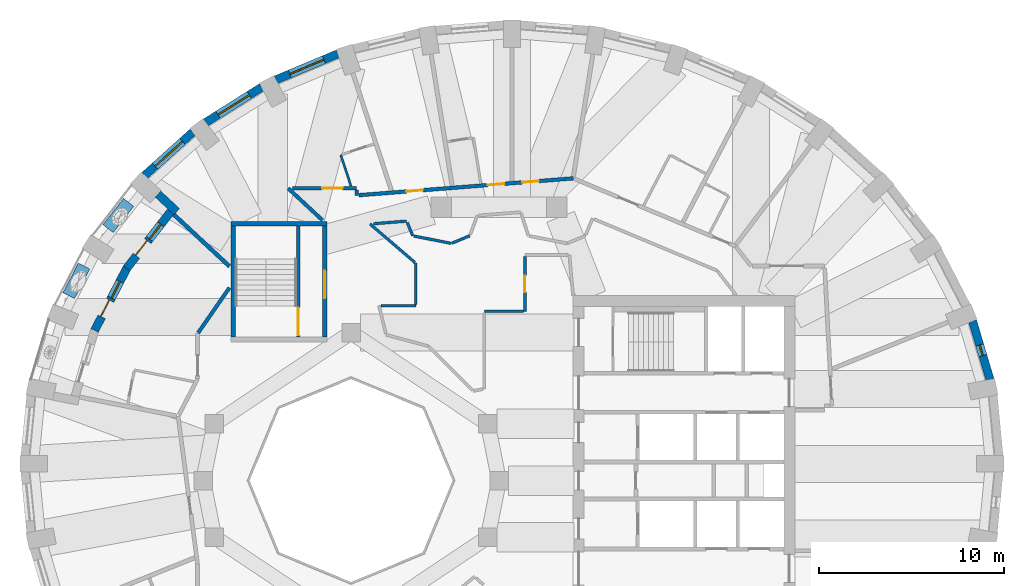
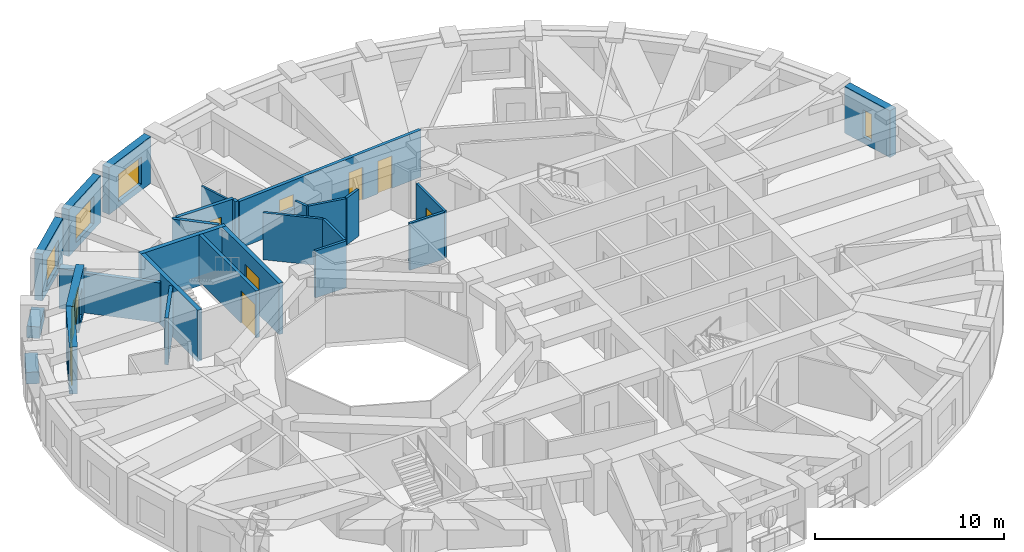
# One storey, part 7 of 12: 29 walls, 9 doors, 6 windows, 15 openings.
"""IFC4 building model written with IfcOpenShell, lengths in metres."""

import ifcopenshell
import ifcopenshell.guid

model = None  # the IFC model being written
_history = None  # IfcOwnerHistory: only IFC2X3 demands one
_inside = {}  # id of a spatial element -> (the spatial element, [elements in it])
_under = {}  # id of a project, library or spatial element -> (it, [spatial elements below it])
_declared = {}  # id of a project -> (the project, [libraries it declares])
_typed = {}  # id of a type object -> (the type object, [elements of that type])
_made_of = {}  # id of a material, layer set ... -> (it, [elements and type objects made of it])


def new_model(schema):
    """Start an empty IFC model of exactly this schema.

    Asked for "IFC4X3", IfcOpenShell would pick the latest addendum, in which some entities
    have other attributes; the version numbers below select the first issue.
    IFC2X3 requires an IfcOwnerHistory on every rooted entity: one is made here for all.
    """
    global model, _history
    if schema == "IFC4X3":
        model = ifcopenshell.file(schema_version=(4, 3, 0, 0))
    else:
        model = ifcopenshell.file(schema=schema)
    _inside.clear()
    _under.clear()
    _declared.clear()
    _typed.clear()
    _made_of.clear()
    _history = None
    if model.schema == "IFC2X3":
        org = make("IfcOrganization", Name="unknown")
        user = make(
            "IfcPersonAndOrganization",
            ThePerson=make("IfcPerson", FamilyName="unknown"),
            TheOrganization=org,
        )
        app = make(
            "IfcApplication",
            ApplicationDeveloper=org,
            Version="unknown",
            ApplicationFullName="unknown",
            ApplicationIdentifier="unknown",
        )
        _history = make(
            "IfcOwnerHistory",
            OwningUser=user,
            OwningApplication=app,
            ChangeAction="ADDED",
            CreationDate=0,
        )
    return model


def make(cls, **values):
    """One entity of the class cls with the attributes given. An attribute that is None is left unset."""
    return model.create_entity(
        cls, **{name: value for name, value in values.items() if value is not None}
    )


def rooted(cls, **values):
    """An entity with a GlobalId (a new one), such as an element, a storey or a relation."""
    return make(cls, GlobalId=ifcopenshell.guid.new(), OwnerHistory=_history, **values)


def si_unit(unit_type, name, prefix=None):
    """IfcSIUnit, for example si_unit("LENGTHUNIT", "METRE", prefix="MILLI")."""
    return make("IfcSIUnit", UnitType=unit_type, Prefix=prefix, Name=name)


def assignment(units):
    """IfcUnitAssignment: the units of a project."""
    return None if units is None else make("IfcUnitAssignment", Units=units)


def point(xyz):
    """IfcCartesianPoint."""
    return None if xyz is None else make("IfcCartesianPoint", Coordinates=xyz)


def direction(xyz):
    """IfcDirection."""
    return None if xyz is None else make("IfcDirection", DirectionRatios=xyz)


def frame(location, z_axis=None, x_axis=None):
    """IfcAxis2Placement3D, a coordinate frame: its origin and axes. An axis left out is left unset."""
    return make(
        "IfcAxis2Placement3D",
        Location=point(location),
        Axis=direction(z_axis),
        RefDirection=direction(x_axis),
    )


def frame_2d(location, x_axis=None):
    """IfcAxis2Placement2D, a coordinate frame in the plane: its origin and x axis."""
    return make(
        "IfcAxis2Placement2D", Location=point(location), RefDirection=direction(x_axis)
    )


def origin():
    """The frame at (0, 0, 0) with its axes left unset."""
    return frame((0.0, 0.0, 0.0))


def place(relative_to, where):
    """IfcLocalPlacement: puts the frame where relative to a parent placement (None: the world)."""
    return make(
        "IfcLocalPlacement", PlacementRelTo=relative_to, RelativePlacement=where
    )


def context(
    kind, dimensions, precision=None, world=None, true_north=None, identifier=None
):
    """IfcGeometricRepresentationContext, for example the 3D "Model" context."""
    return make(
        "IfcGeometricRepresentationContext",
        ContextIdentifier=identifier,
        ContextType=kind,
        CoordinateSpaceDimension=dimensions,
        Precision=precision,
        WorldCoordinateSystem=world,
        TrueNorth=true_north,
    )


def subcontext(parent, identifier, kind, view, scale=None):
    """IfcGeometricRepresentationSubContext, for example "Body" below "Model"."""
    return make(
        "IfcGeometricRepresentationSubContext",
        ContextIdentifier=identifier,
        ContextType=kind,
        ParentContext=parent,
        TargetScale=scale,
        TargetView=view,
    )


def project(units=None, contexts=None):
    """IfcProject with its units and contexts."""
    return rooted(
        "IfcProject",
        Name="project",
        RepresentationContexts=contexts,
        UnitsInContext=assignment(units),
    )


def spatial(cls, under=None, at=None, **own):
    """A site, building, storey or space (cls), placed at a placement, below another one or the project."""
    s = rooted(cls, ObjectPlacement=at, **own)
    if under is not None:
        _under.setdefault(under.id(), (under, []))[1].append(s)
    return s


def profile(cls, at=None, kind="AREA", **sizes):
    """A parametric profile (cls). Its sizes go by their IFC names, for example OverallWidth=200.0."""
    return make(cls, ProfileType=kind, Position=at, **sizes)


def rectangle(**sizes):
    """IfcRectangleProfileDef."""
    return profile("IfcRectangleProfileDef", **sizes)


def extrude(swept, where, along, depth):
    """IfcExtrudedAreaSolid: the profile swept, set in the frame where, extruded along a direction by depth."""
    return make(
        "IfcExtrudedAreaSolid",
        SweptArea=swept,
        Position=where,
        ExtrudedDirection=direction(along),
        Depth=depth,
    )


def shape(context_of_items, identifier, shape_type, items):
    """IfcShapeRepresentation: the items that make up one representation, for example the "Body"."""
    return make(
        "IfcShapeRepresentation",
        ContextOfItems=context_of_items,
        RepresentationIdentifier=identifier,
        RepresentationType=shape_type,
        Items=items,
    )


def material(Name=None, Category=None):
    """IfcMaterial."""
    return make("IfcMaterial", Name=Name, Category=Category)


def layer(
    of_material, thickness, ventilated=None, Name=None, Category=None, Priority=None
):
    """IfcMaterialLayer: one layer of a wall or slab, of a material (None: an air gap)."""
    return make(
        "IfcMaterialLayer",
        Material=of_material,
        LayerThickness=thickness,
        IsVentilated=ventilated,
        Name=Name,
        Category=Category,
        Priority=Priority,
    )


def layer_set(layers, Name=None):
    """IfcMaterialLayerSet."""
    return make("IfcMaterialLayerSet", MaterialLayers=layers, LayerSetName=Name)


def constituent(of_material, Name=None, Category=None, fraction=None):
    """IfcMaterialConstituent: one of the materials an element consists of."""
    return make(
        "IfcMaterialConstituent",
        Name=Name,
        Material=of_material,
        Fraction=fraction,
        Category=Category,
    )


def constituent_set(constituents=None, Name=None):
    """IfcMaterialConstituentSet."""
    return make(
        "IfcMaterialConstituentSet", Name=Name, MaterialConstituents=constituents
    )


def made_of(thing, what):
    """Note that an element or type object is made of a material, layer set ...; save() writes the relation."""
    if what is not None:
        _made_of.setdefault(what.id(), (what, []))[1].append(thing)
    return thing


def type_object(cls, material=None, **own):
    """A type object (cls), such as IfcWallType, which elements share."""
    return made_of(rooted(cls, **own), material)


def element(
    cls,
    number,
    at=None,
    inside=None,
    cuts=None,
    type_object=None,
    material=None,
    context=None,
    identifier="Body",
    shape_type=None,
    held_by="IfcProductDefinitionShape",
    body=None,
    shapes=None,
    **own,
):
    """One element of the class cls, such as IfcWall. Its Tag is "e" and its number.

    at: its placement. inside: the storey or other place that contains it. cuts: it is an
    opening in that element (IfcRelVoidsElement). A single representation is given by context,
    identifier, shape_type and body (its items); several are given by shapes. held_by: the class
    of the entity that holds the representations. save() writes the other relations.
    """
    e = rooted(cls, Tag="e%d" % number, ObjectPlacement=at, **own)
    if body is not None:
        shapes = [shape(context, identifier, shape_type, body)]
    if shapes is not None:
        e.Representation = make(held_by, Representations=shapes)
    if inside is not None:
        _inside.setdefault(inside.id(), (inside, []))[1].append(e)
    if cuts is not None:
        rooted(
            "IfcRelVoidsElement", RelatingBuildingElement=cuts, RelatedOpeningElement=e
        )
    if type_object is not None:
        _typed.setdefault(type_object.id(), (type_object, []))[1].append(e)
    return made_of(e, material)


def fill(opening, filler):
    """IfcRelFillsElement: the door or window that sits in an opening."""
    return rooted(
        "IfcRelFillsElement",
        RelatingOpeningElement=opening,
        RelatedBuildingElement=filler,
    )


def aggregate(whole, parts):
    """IfcRelAggregates: a whole, such as a stair, and the parts it consists of."""
    return rooted("IfcRelAggregates", RelatingObject=whole, RelatedObjects=parts)


def save(model, path):
    """Write the relations noted so far, then the file.

    IfcRelAggregates (storeys below a building ...), IfcRelContainedInSpatialStructure (elements
    in a storey), IfcRelDefinesByType, IfcRelAssociatesMaterial and IfcRelDeclares: one each for
    every whole, place, type object, material and project.
    """
    for whole, parts in _under.values():
        aggregate(whole, parts)
    for where, things in _inside.values():
        rooted(
            "IfcRelContainedInSpatialStructure",
            RelatedElements=things,
            RelatingStructure=where,
        )
    for kind, things in _typed.values():
        rooted("IfcRelDefinesByType", RelatedObjects=things, RelatingType=kind)
    for what, things in _made_of.values():
        rooted("IfcRelAssociatesMaterial", RelatedObjects=things, RelatingMaterial=what)
    for by, libraries in _declared.values():
        rooted("IfcRelDeclares", RelatingContext=by, RelatedDefinitions=libraries)
    model.write(path)


model = new_model("IFC4")

# Units and contexts
model_context = context("Model", 3, precision=1e-05, world=origin(), true_north=direction((0.0, 1.0)))
body_context = subcontext(model_context, "Body", "Model", "MODEL_VIEW")
ifc_project = project(units=[si_unit("LENGTHUNIT", "METRE"), si_unit("AREAUNIT", "SQUARE_METRE"), si_unit("VOLUMEUNIT", "CUBIC_METRE"), si_unit("PLANEANGLEUNIT", "RADIAN"), si_unit("MASSUNIT", "GRAM", prefix="KILO")], contexts=[model_context])

# Site, building, storey
site_placement = place(None, origin())
site = spatial("IfcSite", under=ifc_project, at=site_placement, CompositionType="ELEMENT")
building_placement = place(site_placement, origin())
building = spatial("IfcBuilding", under=site, at=building_placement, Name="Taillehof Tower", CompositionType="ELEMENT")
storey_placement = place(building_placement, frame((0.0, 0.0, 202.39990234375)))
storey = spatial("IfcBuildingStorey", under=building, at=storey_placement, Name="L57", CompositionType="ELEMENT", Elevation=202.39990234375)

# Wall, opening, window
ifc_material_1 = material(Name="Brick masonry", Category="masonry")
ifc_layer_1 = layer(ifc_material_1, 0.449951171875)
ifc_layer_set_1 = layer_set([ifc_layer_1], Name="Brick infill wall 450")
wall_type_1 = type_object("IfcWallType", Name="Brick infill wall 450", PredefinedType="SOLIDWALL", material=ifc_layer_set_1)
wall_1_placement = place(storey_placement, frame((26.548095703125, 5.451904296875, 0.0), z_axis=(0.0, 0.0, 1.0), x_axis=(-0.285444972963, 0.958395099847, 0.0)))
wall_1 = element("IfcWall", 1, at=wall_1_placement, inside=storey, type_object=wall_type_1, Name="Brick wall L57 bay 2", PredefinedType="SOLIDWALL", context=body_context, shape_type="SweptSolid", body=[
    extrude(rectangle(XDim=3.3203125, YDim=0.449951171875, at=frame_2d((1.66015625, 0.0))), origin(), (0.0, 0.0, 1.0), 3.02001953125),
])
opening_1_placement = place(wall_1_placement, frame((1.360107421875, 0.0, 0.39990234375)))
opening_1 = element("IfcOpeningElement", 2, at=opening_1_placement, cuts=wall_1, Name="Opening W6", PredefinedType="OPENING", context=body_context, shape_type="SweptSolid", body=[
    extrude(rectangle(XDim=0.60009765625, YDim=1.75, at=frame_2d((0.300048828125, 0.875))), frame((0.0, 0.23486328125, 0.0), z_axis=(0.0, -1.0, 0.0), x_axis=(1.0, 0.0, 0.0)), (0.0, 0.0, 1.0), 0.469970703125),
])
ifc_material_2 = material(Name="Aluminium window frame with clear double glazing", Category="aluminium")
window_type_1 = type_object("IfcWindowType", Name="Slot window 600x1750", PartitioningType="SINGLE_PANEL", PredefinedType="WINDOW", material=ifc_material_2)
window_1_placement = place(opening_1_placement, origin())
window_1 = element("IfcWindow", 3, at=window_1_placement, inside=storey, type_object=window_type_1, Name="W6", OverallHeight=1.75, OverallWidth=0.60009765625, PartitioningType="SINGLE_PANEL", PredefinedType="WINDOW", context=body_context, shape_type="SweptSolid", body=[
    extrude(rectangle(XDim=0.60009765625, YDim=1.75, at=frame_2d((0.300048828125, 0.875))), frame((0.0, 0.034912109375, 0.0), z_axis=(0.0, -1.0, 0.0), x_axis=(1.0, 0.0, 0.0)), (0.0, 0.0, 1.0), 0.06005859375),
])
fill(opening_1, window_1)

wall_2_placement = place(storey_placement, frame((-8.70263671875, 23.0791015625, 0.0), z_axis=(0.0, 0.0, 1.0), x_axis=(-0.922168222612, -0.386789050006, 0.0)))
wall_2 = element("IfcWall", 4, at=wall_2_placement, inside=storey, type_object=wall_type_1, Name="Brick wall L57 bay 12", PredefinedType="SOLIDWALL", context=body_context, shape_type="SweptSolid", body=[
    extrude(rectangle(XDim=3.65087890625, YDim=0.449951171875, at=frame_2d((1.825439453125, 0.0))), origin(), (0.0, 0.0, 1.0), 3.02001953125),
])
opening_2_placement = place(wall_2_placement, frame((0.825439453125, 0.0, 0.39990234375)))
opening_2 = element("IfcOpeningElement", 5, at=opening_2_placement, cuts=wall_2, Name="Opening W2", PredefinedType="OPENING", context=body_context, shape_type="SweptSolid", body=[
    extrude(rectangle(XDim=2.0, YDim=1.75, at=frame_2d((1.0, 0.875))), frame((0.0, 0.23486328125, 0.0), z_axis=(0.0, -1.0, 0.0), x_axis=(1.0, 0.0, 0.0)), (0.0, 0.0, 1.0), 0.469970703125),
])
ifc_material_3 = material(Name="Aluminium window frame with clear double glazing", Category="aluminium")
window_type_2 = type_object("IfcWindowType", Name="Deep-set window 2000x1750", PartitioningType="SINGLE_PANEL", PredefinedType="WINDOW", material=ifc_material_3)
window_2_placement = place(opening_2_placement, origin())
window_2 = element("IfcWindow", 6, at=window_2_placement, inside=storey, type_object=window_type_2, Name="W2", OverallHeight=1.75, OverallWidth=2.0, PartitioningType="SINGLE_PANEL", PredefinedType="WINDOW", context=body_context, shape_type="SweptSolid", body=[
    extrude(rectangle(XDim=2.0, YDim=1.75, at=frame_2d((1.0, 0.875))), frame((0.0, 0.034912109375, 0.0), z_axis=(0.0, -1.0, 0.0), x_axis=(1.0, 0.0, 0.0)), (0.0, 0.0, 1.0), 0.06005859375),
])
fill(opening_2, window_2)

wall_3_placement = place(storey_placement, frame((-12.832275390625, 21.27001953125, 0.0), z_axis=(0.0, 0.0, 1.0), x_axis=(-0.846138482752, -0.532963101918, 0.0)))
wall_3 = element("IfcWall", 7, at=wall_3_placement, inside=storey, type_object=wall_type_1, Name="Brick wall L57 bay 13", PredefinedType="SOLIDWALL", context=body_context, shape_type="SweptSolid", body=[
    extrude(rectangle(XDim=3.586669921875, YDim=0.449951171875, at=frame_2d((1.79345703125, 0.0))), origin(), (0.0, 0.0, 1.0), 3.02001953125),
])
opening_3_placement = place(wall_3_placement, frame((0.79345703125, 0.0, 0.39990234375)))
opening_3 = element("IfcOpeningElement", 8, at=opening_3_placement, cuts=wall_3, Name="Opening W2", PredefinedType="OPENING", context=body_context, shape_type="SweptSolid", body=[
    extrude(rectangle(XDim=2.0, YDim=1.75, at=frame_2d((1.0, 0.875))), frame((0.0, 0.23486328125, 0.0), z_axis=(0.0, -1.0, 0.0), x_axis=(1.0, 0.0, 0.0)), (0.0, 0.0, 1.0), 0.469970703125),
])
window_3_placement = place(opening_3_placement, origin())
window_3 = element("IfcWindow", 9, at=window_3_placement, inside=storey, type_object=window_type_2, Name="W2", OverallHeight=1.75, OverallWidth=2.0, PartitioningType="SINGLE_PANEL", PredefinedType="WINDOW", context=body_context, shape_type="SweptSolid", body=[
    extrude(rectangle(XDim=2.0, YDim=1.75, at=frame_2d((1.0, 0.875))), frame((0.0, 0.034912109375, 0.0), z_axis=(0.0, -1.0, 0.0), x_axis=(1.0, 0.0, 0.0)), (0.0, 0.0, 1.0), 0.06005859375),
])
fill(opening_3, window_3)

wall_4_placement = place(storey_placement, frame((-16.553466796875, 18.83984375, 0.0), z_axis=(0.0, 0.0, 1.0), x_axis=(-0.743442727602, -0.668799604348, 0.0)))
wall_4 = element("IfcWall", 10, at=wall_4_placement, inside=storey, type_object=wall_type_1, Name="Brick wall L57 bay 14", PredefinedType="SOLIDWALL", context=body_context, shape_type="SweptSolid", body=[
    extrude(rectangle(XDim=3.5126953125, YDim=0.449951171875, at=frame_2d((1.75634765625, 0.0))), origin(), (0.0, 0.0, 1.0), 3.02001953125),
])
opening_4_placement = place(wall_4_placement, frame((0.75634765625, 0.0, 0.39990234375)))
opening_4 = element("IfcOpeningElement", 11, at=opening_4_placement, cuts=wall_4, Name="Opening W2", PredefinedType="OPENING", context=body_context, shape_type="SweptSolid", body=[
    extrude(rectangle(XDim=2.0, YDim=1.75, at=frame_2d((1.0, 0.875))), frame((0.0, 0.23486328125, 0.0), z_axis=(0.0, -1.0, 0.0), x_axis=(1.0, 0.0, 0.0)), (0.0, 0.0, 1.0), 0.469970703125),
])
window_4_placement = place(opening_4_placement, origin())
window_4 = element("IfcWindow", 12, at=window_4_placement, inside=storey, type_object=window_type_2, Name="W2", OverallHeight=1.75, OverallWidth=2.0, PartitioningType="SINGLE_PANEL", PredefinedType="WINDOW", context=body_context, shape_type="SweptSolid", body=[
    extrude(rectangle(XDim=2.0, YDim=1.75, at=frame_2d((1.0, 0.875))), frame((0.0, 0.034912109375, 0.0), z_axis=(0.0, -1.0, 0.0), x_axis=(1.0, 0.0, 0.0)), (0.0, 0.0, 1.0), 0.06005859375),
])
fill(opening_4, window_4)

# Wall
wall_5_placement = place(storey_placement, frame((-18.4404296875, 15.484375, 0.0), z_axis=(0.0, 0.0, 1.0), x_axis=(0.732268156969, -0.681016406769, 0.0)))
element("IfcWall", 13, at=wall_5_placement, inside=storey, type_object=wall_type_1, Name="Brick reveal L57 pocket 4", PredefinedType="SOLIDWALL", context=body_context, shape_type="SweptSolid", body=[
    extrude(rectangle(XDim=1.390869140625, YDim=0.449951171875, at=frame_2d((0.6953125, 0.0))), origin(), (0.0, 0.0, 1.0), 2.570068359375),
])

# Wall, openings, door, window
wall_6_placement = place(storey_placement, frame((-17.75390625, 14.53857421875, 0.0), z_axis=(0.0, 0.0, 1.0), x_axis=(-0.613174901215, -0.789947175779, 0.0)))
wall_6 = element("IfcWall", 14, at=wall_6_placement, inside=storey, type_object=wall_type_1, Name="Brick wall L57 pocket bay 15", PredefinedType="SOLIDWALL", context=body_context, shape_type="SweptSolid", body=[
    extrude(rectangle(XDim=3.886474609375, YDim=0.449951171875, at=frame_2d((1.943359375, 0.0))), origin(), (0.0, 0.0, 1.0), 3.02001953125),
])
opening_5_placement = place(wall_6_placement, frame((0.8681640625, 0.0, 0.39990234375)))
opening_5 = element("IfcOpeningElement", 15, at=opening_5_placement, cuts=wall_6, Name="Opening W5", PredefinedType="OPENING", context=body_context, shape_type="SweptSolid", body=[
    extrude(rectangle(XDim=1.0, YDim=1.75, at=frame_2d((0.5, 0.875))), frame((0.0, 0.23486328125, 0.0), z_axis=(0.0, -1.0, 0.0), x_axis=(1.0, 0.0, 0.0)), (0.0, 0.0, 1.0), 0.469970703125),
])
opening_6_placement = place(wall_6_placement, frame((2.018310546875, 0.0, 0.0)))
opening_6 = element("IfcOpeningElement", 16, at=opening_6_placement, cuts=wall_6, Name="Opening D5791", PredefinedType="OPENING", context=body_context, shape_type="SweptSolid", body=[
    extrude(rectangle(XDim=1.0, YDim=2.14990234375, at=frame_2d((0.5, 1.074951171875))), frame((0.0, 0.23486328125, 0.0), z_axis=(0.0, -1.0, 0.0), x_axis=(1.0, 0.0, 0.0)), (0.0, 0.0, 1.0), 0.469970703125),
])
ifc_material_4 = material(Name="Aluminium door frame with clear double glazing", Category="aluminium")
door_type_1 = type_object("IfcDoorType", Name="Balcony door 1000x2150", OperationType="SINGLE_SWING_RIGHT", PredefinedType="DOOR", material=ifc_material_4)
door_1_placement = place(opening_6_placement, frame((1.0, 0.0, 0.0), z_axis=(0.0, 0.0, 1.0), x_axis=(-1.0, 0.0, 0.0)))
door_1 = element("IfcDoor", 17, at=door_1_placement, inside=storey, type_object=door_type_1, Name="Balcony door L57 bay 15", OperationType="SINGLE_SWING_RIGHT", OverallHeight=2.14990234375, OverallWidth=1.0, PredefinedType="DOOR", context=body_context, shape_type="SweptSolid", body=[
    extrude(rectangle(XDim=1.0, YDim=2.14990234375, at=frame_2d((0.5, 1.074951171875))), frame((0.0, 0.0751953125, 0.0), z_axis=(0.0, -1.0, 0.0), x_axis=(1.0, 0.0, 0.0)), (0.0, 0.0, 1.0), 0.050048828125),
])
fill(opening_6, door_1)
ifc_material_5 = material(Name="Aluminium window frame with clear double glazing", Category="aluminium")
window_type_3 = type_object("IfcWindowType", Name="Fixed window 1000x1750", PartitioningType="SINGLE_PANEL", PredefinedType="WINDOW", material=ifc_material_5)
window_5_placement = place(opening_5_placement, origin())
window_5 = element("IfcWindow", 18, at=window_5_placement, inside=storey, type_object=window_type_3, Name="W5", OverallHeight=1.75, OverallWidth=1.0, PartitioningType="SINGLE_PANEL", PredefinedType="WINDOW", context=body_context, shape_type="SweptSolid", body=[
    extrude(rectangle(XDim=1.0, YDim=1.75, at=frame_2d((0.5, 0.875))), frame((0.0, 0.034912109375, 0.0), z_axis=(0.0, -1.0, 0.0), x_axis=(1.0, 0.0, 0.0)), (0.0, 0.0, 1.0), 0.06005859375),
])
fill(opening_5, window_5)

wall_7_placement = place(storey_placement, frame((-20.11474609375, 11.503173828125, 0.0), z_axis=(0.0, 0.0, 1.0), x_axis=(-0.459205720451, -0.888329953511, 0.0)))
wall_7 = element("IfcWall", 19, at=wall_7_placement, inside=storey, type_object=wall_type_1, Name="Brick wall L57 pocket bay 16", PredefinedType="SOLIDWALL", context=body_context, shape_type="SweptSolid", body=[
    extrude(rectangle(XDim=3.822509765625, YDim=0.449951171875, at=frame_2d((1.9111328125, 0.0))), origin(), (0.0, 0.0, 1.0), 3.02001953125),
])
opening_7_placement = place(wall_7_placement, frame((0.83642578125, 0.0, 0.39990234375)))
opening_7 = element("IfcOpeningElement", 20, at=opening_7_placement, cuts=wall_7, Name="Opening W5", PredefinedType="OPENING", context=body_context, shape_type="SweptSolid", body=[
    extrude(rectangle(XDim=1.0, YDim=1.75, at=frame_2d((0.5, 0.875))), frame((0.0, 0.23486328125, 0.0), z_axis=(0.0, -1.0, 0.0), x_axis=(1.0, 0.0, 0.0)), (0.0, 0.0, 1.0), 0.469970703125),
])
opening_8_placement = place(wall_7_placement, frame((1.986328125, 0.0, 0.0)))
opening_8 = element("IfcOpeningElement", 21, at=opening_8_placement, cuts=wall_7, Name="Opening D5792", PredefinedType="OPENING", context=body_context, shape_type="SweptSolid", body=[
    extrude(rectangle(XDim=1.0, YDim=2.14990234375, at=frame_2d((0.5, 1.074951171875))), frame((0.0, 0.23486328125, 0.0), z_axis=(0.0, -1.0, 0.0), x_axis=(1.0, 0.0, 0.0)), (0.0, 0.0, 1.0), 0.469970703125),
])
door_2_placement = place(opening_8_placement, frame((1.0, 0.0, 0.0), z_axis=(0.0, 0.0, 1.0), x_axis=(-1.0, 0.0, 0.0)))
door_2 = element("IfcDoor", 22, at=door_2_placement, inside=storey, type_object=door_type_1, Name="Balcony door L57 bay 16", OperationType="SINGLE_SWING_LEFT", OverallHeight=2.14990234375, OverallWidth=1.0, PredefinedType="DOOR", context=body_context, shape_type="SweptSolid", body=[
    extrude(rectangle(XDim=1.0, YDim=2.14990234375, at=frame_2d((0.5, 1.074951171875))), frame((0.0, 0.0751953125, 0.0), z_axis=(0.0, -1.0, 0.0), x_axis=(1.0, 0.0, 0.0)), (0.0, 0.0, 1.0), 0.050048828125),
])
fill(opening_8, door_2)
window_6_placement = place(opening_7_placement, origin())
window_6 = element("IfcWindow", 23, at=window_6_placement, inside=storey, type_object=window_type_3, Name="W5", OverallHeight=1.75, OverallWidth=1.0, PartitioningType="SINGLE_PANEL", PredefinedType="WINDOW", context=body_context, shape_type="SweptSolid", body=[
    extrude(rectangle(XDim=1.0, YDim=1.75, at=frame_2d((0.5, 0.875))), frame((0.0, 0.034912109375, 0.0), z_axis=(0.0, -1.0, 0.0), x_axis=(1.0, 0.0, 0.0)), (0.0, 0.0, 1.0), 0.06005859375),
])
fill(opening_7, window_6)

# Walls
ifc_material_6 = material(Name="Gypsum board on steel studs, two layers each side", Category="steel")
ifc_layer_2 = layer(ifc_material_6, 0.199951171875)
ifc_layer_set_2 = layer_set([ifc_layer_2], Name="Compartment wall corridor 200")
wall_type_2 = type_object("IfcWallType", Name="Compartment wall corridor 200", PredefinedType="PARTITIONING", material=ifc_layer_set_2)
wall_8_placement = place(storey_placement, frame((-16.265625, 7.9892578125, 0.0), z_axis=(0.0, 0.0, 1.0), x_axis=(0.569860411146, 0.821741511552, 0.0)))
element("IfcWall", 24, at=wall_8_placement, inside=storey, type_object=wall_type_2, Name="Compartment wall", PredefinedType="PARTITIONING", context=body_context, shape_type="SweptSolid", body=[
    extrude(rectangle(XDim=2.966064453125, YDim=0.199951171875, at=frame_2d((1.48291015625, 0.0))), origin(), (0.0, 0.0, 1.0), 3.02001953125),
])
wall_9_placement = place(storey_placement, frame((-9.540771484375, 14.070068359375, 0.0), z_axis=(0.0, 0.0, 1.0), x_axis=(-0.732300412469, 0.680981722146, 0.0)))
element("IfcWall", 25, at=wall_9_placement, inside=storey, type_object=wall_type_2, Name="Compartment wall", PredefinedType="PARTITIONING", context=body_context, shape_type="SweptSolid", body=[
    extrude(rectangle(XDim=2.54052734375, YDim=0.199951171875, at=frame_2d((1.270263671875, 0.0))), origin(), (0.0, 0.0, 1.0), 3.02001953125),
])

# Wall, opening, door
wall_10_placement = place(storey_placement, frame((-11.160888671875, 15.800048828125, 0.0), z_axis=(0.0, 0.0, 1.0), x_axis=(1.0, 0.0, 0.0)))
wall_10 = element("IfcWall", 26, at=wall_10_placement, inside=storey, type_object=wall_type_2, Name="Compartment wall", PredefinedType="PARTITIONING", context=body_context, shape_type="SweptSolid", body=[
    extrude(rectangle(XDim=3.4609375, YDim=0.199951171875, at=frame_2d((1.73046875, 0.0))), origin(), (0.0, 0.0, 1.0), 3.02001953125),
])
opening_9_placement = place(wall_10_placement, frame((1.601806640625, 0.0, 0.0)))
opening_9 = element("IfcOpeningElement", 27, at=opening_9_placement, cuts=wall_10, Name="Opening D5748", PredefinedType="OPENING", context=body_context, shape_type="SweptSolid", body=[
    extrude(rectangle(XDim=1.10009765625, YDim=2.10009765625, at=frame_2d((0.550048828125, 1.050048828125))), frame((0.0, 0.10986328125, 0.0), z_axis=(0.0, -1.0, 0.0), x_axis=(1.0, 0.0, 0.0)), (0.0, 0.0, 1.0), 0.219970703125),
])
ifc_material_7 = material(Name="Timber door leaf in steel frame", Category="steel")
door_type_2 = type_object("IfcDoorType", Name="Suite entrance door EI 30 1100 x 2100", OperationType="SINGLE_SWING_LEFT", PredefinedType="DOOR", material=ifc_material_7)
door_3_placement = place(opening_9_placement, origin())
door_3 = element("IfcDoor", 28, at=door_3_placement, inside=storey, type_object=door_type_2, Name="D5748", OperationType="SINGLE_SWING_RIGHT", OverallHeight=2.10009765625, OverallWidth=1.10009765625, PredefinedType="DOOR", context=body_context, shape_type="SweptSolid", body=[
    extrude(rectangle(XDim=1.10009765625, YDim=2.10009765625, at=frame_2d((0.550048828125, 1.050048828125))), frame((0.0, 0.02490234375, 0.0), z_axis=(0.0, -1.0, 0.0), x_axis=(1.0, 0.0, 0.0)), (0.0, 0.0, 1.0), 0.050048828125),
])
fill(opening_9, door_3)

# Wall
wall_11_placement = place(storey_placement, frame((-7.699951171875, 15.699951171875, 0.0), z_axis=(0.0, 0.0, 1.0), x_axis=(0.0, -1.0, 0.0)))
element("IfcWall", 29, at=wall_11_placement, inside=storey, type_object=wall_type_2, Name="Compartment wall", PredefinedType="PARTITIONING", context=body_context, shape_type="SweptSolid", body=[
    extrude(rectangle(XDim=0.281494140625, YDim=0.199951171875, at=frame_2d((0.140625, 0.0))), origin(), (0.0, 0.0, 1.0), 3.02001953125),
])

# Wall, openings, doors
wall_12_placement = place(storey_placement, frame((-7.579833984375, 15.42724609375, 0.0), z_axis=(0.0, 0.0, 1.0), x_axis=(0.996926687833, 0.078340149899, 0.0)))
wall_12 = element("IfcWall", 30, at=wall_12_placement, inside=storey, type_object=wall_type_2, Name="Compartment wall", PredefinedType="PARTITIONING", context=body_context, shape_type="SweptSolid", body=[
    extrude(rectangle(XDim=11.63037109375, YDim=0.199951171875, at=frame_2d((5.815185546875, 0.0))), origin(), (0.0, 0.0, 1.0), 3.02001953125),
])
opening_10_placement = place(wall_12_placement, frame((8.86572265625, 0.0, 0.0)))
opening_10 = element("IfcOpeningElement", 31, at=opening_10_placement, cuts=wall_12, Name="Opening D5744", PredefinedType="OPENING", context=body_context, shape_type="SweptSolid", body=[
    extrude(rectangle(XDim=0.89990234375, YDim=2.10009765625, at=frame_2d((0.449951171875, 1.050048828125))), frame((0.0, 0.10986328125, 0.0), z_axis=(0.0, -1.0, 0.0), x_axis=(1.0, 0.0, 0.0)), (0.0, 0.0, 1.0), 0.219970703125),
])
opening_11_placement = place(wall_12_placement, frame((6.992431640625, 0.0, 0.0)))
opening_11 = element("IfcOpeningElement", 32, at=opening_11_placement, cuts=wall_12, Name="Opening D5745", PredefinedType="OPENING", context=body_context, shape_type="SweptSolid", body=[
    extrude(rectangle(XDim=0.89990234375, YDim=2.10009765625, at=frame_2d((0.449951171875, 1.050048828125))), frame((0.0, 0.10986328125, 0.0), z_axis=(0.0, -1.0, 0.0), x_axis=(1.0, 0.0, 0.0)), (0.0, 0.0, 1.0), 0.219970703125),
])
opening_12_placement = place(wall_12_placement, frame((2.565673828125, 0.0, 0.0)))
opening_12 = element("IfcOpeningElement", 33, at=opening_12_placement, cuts=wall_12, Name="Opening D5747", PredefinedType="OPENING", context=body_context, shape_type="SweptSolid", body=[
    extrude(rectangle(XDim=0.89990234375, YDim=2.10009765625, at=frame_2d((0.449951171875, 1.050048828125))), frame((0.0, 0.10986328125, 0.0), z_axis=(0.0, -1.0, 0.0), x_axis=(1.0, 0.0, 0.0)), (0.0, 0.0, 1.0), 0.219970703125),
])
ifc_material_8 = material(Name="Timber door leaf in steel frame", Category="steel")
door_type_3 = type_object("IfcDoorType", Name="Guest room door EI 30 900 x 2100", OperationType="SINGLE_SWING_LEFT", PredefinedType="DOOR", material=ifc_material_8)
door_4_placement = place(opening_11_placement, origin())
door_4 = element("IfcDoor", 34, at=door_4_placement, inside=storey, type_object=door_type_3, Name="D5745", OperationType="SINGLE_SWING_RIGHT", OverallHeight=2.10009765625, OverallWidth=0.89990234375, PredefinedType="DOOR", context=body_context, shape_type="SweptSolid", body=[
    extrude(rectangle(XDim=0.89990234375, YDim=2.10009765625, at=frame_2d((0.449951171875, 1.050048828125))), frame((0.0, 0.02490234375, 0.0), z_axis=(0.0, -1.0, 0.0), x_axis=(1.0, 0.0, 0.0)), (0.0, 0.0, 1.0), 0.050048828125),
])
fill(opening_11, door_4)
ifc_material_9 = material(Name="Timber door leaf in steel frame", Category="steel")
door_type_4 = type_object("IfcDoorType", Name="Service room door EI 30 900 x 2100", OperationType="SINGLE_SWING_LEFT", PredefinedType="DOOR", material=ifc_material_9)
door_5_placement = place(opening_10_placement, origin())
door_5 = element("IfcDoor", 35, at=door_5_placement, inside=storey, type_object=door_type_4, Name="D5744", OperationType="SINGLE_SWING_LEFT", OverallHeight=2.10009765625, OverallWidth=0.89990234375, PredefinedType="DOOR", context=body_context, shape_type="SweptSolid", body=[
    extrude(rectangle(XDim=0.89990234375, YDim=2.10009765625, at=frame_2d((0.449951171875, 1.050048828125))), frame((0.0, 0.02490234375, 0.0), z_axis=(0.0, -1.0, 0.0), x_axis=(1.0, 0.0, 0.0)), (0.0, 0.0, 1.0), 0.050048828125),
])
fill(opening_10, door_5)
door_6_placement = place(opening_12_placement, origin())
door_6 = element("IfcDoor", 36, at=door_6_placement, inside=storey, type_object=door_type_4, Name="D5747", OperationType="SINGLE_SWING_LEFT", OverallHeight=2.10009765625, OverallWidth=0.89990234375, PredefinedType="DOOR", context=body_context, shape_type="SweptSolid", body=[
    extrude(rectangle(XDim=0.89990234375, YDim=2.10009765625, at=frame_2d((0.449951171875, 1.050048828125))), frame((0.0, 0.02490234375, 0.0), z_axis=(0.0, -1.0, 0.0), x_axis=(1.0, 0.0, 0.0)), (0.0, 0.0, 1.0), 0.050048828125),
])
fill(opening_12, door_6)

# Wall
ifc_material_10 = material(Name="Gypsum board on double steel studs with mineral wool", Category="steel")
ifc_layer_3 = layer(ifc_material_10, 0.219970703125)
ifc_layer_set_3 = layer_set([ifc_layer_3], Name="Compartment wall guest room 220")
wall_type_3 = type_object("IfcWallType", Name="Compartment wall guest room 220", PredefinedType="PARTITIONING", material=ifc_layer_set_3)
wall_13_placement = place(storey_placement, frame((-17.58837890625, 14.384765625, 0.0), z_axis=(0.0, 0.0, 1.0), x_axis=(0.732259547802, -0.681025663725, 0.0)))
element("IfcWall", 37, at=wall_13_placement, inside=storey, type_object=wall_type_3, Name="Compartment wall", PredefinedType="PARTITIONING", context=body_context, shape_type="SweptSolid", body=[
    extrude(rectangle(XDim=4.121826171875, YDim=0.219970703125, at=frame_2d((2.06103515625, 0.0))), origin(), (0.0, 0.0, 1.0), 2.570068359375),
])

# Wall, opening, door
ifc_material_11 = material(Name="Gypsum board on steel studs, two layers each side", Category="steel")
ifc_layer_4 = layer(ifc_material_11, 0.14990234375)
ifc_layer_set_4 = layer_set([ifc_layer_4], Name="Compartment wall service room 150")
wall_type_4 = type_object("IfcWallType", Name="Compartment wall service room 150", PredefinedType="PARTITIONING", material=ifc_layer_set_4)
wall_14_placement = place(storey_placement, frame((1.39990234375, 12.119873046875, 0.0), z_axis=(0.0, 0.0, 1.0), x_axis=(0.0, -1.0, 0.0)))
wall_14 = element("IfcWall", 38, at=wall_14_placement, inside=storey, type_object=wall_type_4, Name="Compartment wall", PredefinedType="PARTITIONING", context=body_context, shape_type="SweptSolid", body=[
    extrude(rectangle(XDim=2.969970703125, YDim=0.14990234375, at=frame_2d((1.48486328125, 0.0))), origin(), (0.0, 0.0, 1.0), 3.02001953125),
])
opening_13_placement = place(wall_14_placement, frame((1.034912109375, 0.0, 0.0)))
opening_13 = element("IfcOpeningElement", 39, at=opening_13_placement, cuts=wall_14, Name="Opening D5766", PredefinedType="OPENING", context=body_context, shape_type="SweptSolid", body=[
    extrude(rectangle(XDim=0.89990234375, YDim=2.10009765625, at=frame_2d((0.449951171875, 1.050048828125))), frame((0.0, 0.0849609375, 0.0), z_axis=(0.0, -1.0, 0.0), x_axis=(1.0, 0.0, 0.0)), (0.0, 0.0, 1.0), 0.169921875),
])
door_7_placement = place(opening_13_placement, origin())
door_7 = element("IfcDoor", 40, at=door_7_placement, inside=storey, type_object=door_type_4, Name="D5766", OperationType="SINGLE_SWING_LEFT", OverallHeight=2.10009765625, OverallWidth=0.89990234375, PredefinedType="DOOR", context=body_context, shape_type="SweptSolid", body=[
    extrude(rectangle(XDim=0.89990234375, YDim=2.10009765625, at=frame_2d((0.449951171875, 1.050048828125))), frame((0.0, 0.02490234375, 0.0), z_axis=(0.0, -1.0, 0.0), x_axis=(1.0, 0.0, 0.0)), (0.0, 0.0, 1.0), 0.050048828125),
])
fill(opening_13, door_7)

# Walls
wall_15_placement = place(storey_placement, frame((1.31982421875, 9.14990234375, 0.0), z_axis=(0.0, 0.0, 1.0), x_axis=(-1.0, 0.0, 0.0)))
element("IfcWall", 41, at=wall_15_placement, inside=storey, type_object=wall_type_4, Name="Compartment wall", PredefinedType="PARTITIONING", context=body_context, shape_type="SweptSolid", body=[
    extrude(rectangle(XDim=2.119873046875, YDim=0.14990234375, at=frame_2d((1.06005859375, 0.0))), origin(), (0.0, 0.0, 1.0), 3.02001953125),
])
wall_16_placement = place(storey_placement, frame((-6.393310546875, 9.449951171875, 0.0), z_axis=(0.0, 0.0, 1.0), x_axis=(1.0, 0.0, 0.0)))
element("IfcWall", 42, at=wall_16_placement, inside=storey, type_object=wall_type_4, Name="Compartment wall", PredefinedType="PARTITIONING", context=body_context, shape_type="SweptSolid", body=[
    extrude(rectangle(XDim=1.893310546875, YDim=0.14990234375, at=frame_2d((0.94677734375, 0.0))), origin(), (0.0, 0.0, 1.0), 3.02001953125),
])
wall_17_placement = place(storey_placement, frame((-4.5, 9.530029296875, 0.0), z_axis=(0.0, 0.0, 1.0), x_axis=(0.0, 1.0, 0.0)))
element("IfcWall", 43, at=wall_17_placement, inside=storey, type_object=wall_type_4, Name="Compartment wall", PredefinedType="PARTITIONING", context=body_context, shape_type="SweptSolid", body=[
    extrude(rectangle(XDim=2.219970703125, YDim=0.14990234375, at=frame_2d((1.10986328125, 0.0))), origin(), (0.0, 0.0, 1.0), 3.02001953125),
])
wall_18_placement = place(storey_placement, frame((-4.54541015625, 11.788818359375, 0.0), z_axis=(0.0, 0.0, 1.0), x_axis=(-0.759649557803, 0.650332645136, 0.0)))
element("IfcWall", 44, at=wall_18_placement, inside=storey, type_object=wall_type_4, Name="Compartment wall", PredefinedType="PARTITIONING", context=body_context, shape_type="SweptSolid", body=[
    extrude(rectangle(XDim=3.200439453125, YDim=0.14990234375, at=frame_2d((1.60009765625, 0.0))), origin(), (0.0, 0.0, 1.0), 3.02001953125),
])
wall_19_placement = place(storey_placement, frame((-6.79638671875, 13.88330078125, 0.0), z_axis=(0.0, 0.0, 1.0), x_axis=(0.996884469519, 0.078875562959, 0.0)))
element("IfcWall", 45, at=wall_19_placement, inside=storey, type_object=wall_type_4, Name="Compartment wall", PredefinedType="PARTITIONING", context=body_context, shape_type="SweptSolid", body=[
    extrude(rectangle(XDim=1.8076171875, YDim=0.14990234375, at=frame_2d((0.90380859375, 0.0))), origin(), (0.0, 0.0, 1.0), 2.570068359375),
])
wall_20_placement = place(storey_placement, frame((-4.964111328125, 13.95166015625, 0.0), z_axis=(0.0, 0.0, 1.0), x_axis=(0.383034593284, -0.923733998697, 0.0)))
element("IfcWall", 46, at=wall_20_placement, inside=storey, type_object=wall_type_4, Name="Compartment wall", PredefinedType="PARTITIONING", context=body_context, shape_type="SweptSolid", body=[
    extrude(rectangle(XDim=0.77880859375, YDim=0.14990234375, at=frame_2d((0.389404296875, 0.0))), origin(), (0.0, 0.0, 1.0), 3.02001953125),
])
wall_21_placement = place(storey_placement, frame((-4.607177734375, 13.220458984375, 0.0), z_axis=(0.0, 0.0, 1.0), x_axis=(0.981304142817, -0.192463449234, 0.0)))
element("IfcWall", 47, at=wall_21_placement, inside=storey, type_object=wall_type_4, Name="Compartment wall", PredefinedType="PARTITIONING", context=body_context, shape_type="SweptSolid", body=[
    extrude(rectangle(XDim=2.0703125, YDim=0.14990234375, at=frame_2d((1.03515625, 0.0))), origin(), (0.0, 0.0, 1.0), 3.02001953125),
])
wall_22_placement = place(storey_placement, frame((-2.53857421875, 12.837158203125, 0.0), z_axis=(0.0, 0.0, 1.0), x_axis=(0.923768662954, 0.382950985565, 0.0)))
element("IfcWall", 48, at=wall_22_placement, inside=storey, type_object=wall_type_4, Name="Compartment wall", PredefinedType="PARTITIONING", context=body_context, shape_type="SweptSolid", body=[
    extrude(rectangle(XDim=1.031494140625, YDim=0.14990234375, at=frame_2d((0.515625, 0.0))), origin(), (0.0, 0.0, 1.0), 3.02001953125),
])
ifc_material_12 = material(Name="Gypsum board on steel studs, moisture resistant", Category="steel")
ifc_layer_5 = layer(ifc_material_12, 0.1201171875)
ifc_layer_set_5 = layer_set([ifc_layer_5], Name="En-suite wall 120")
wall_type_5 = type_object("IfcWallType", Name="En-suite wall 120", PredefinedType="PARTITIONING", material=ifc_layer_set_5)
wall_23_placement = place(storey_placement, frame((-8.00390625, 15.919189453125, 0.0), z_axis=(0.0, 0.0, 1.0), x_axis=(-0.311931513965, 0.950104589293, 0.0)))
element("IfcWall", 49, at=wall_23_placement, inside=storey, type_object=wall_type_5, Name="En-suite wall", PredefinedType="PARTITIONING", context=body_context, shape_type="SweptSolid", body=[
    extrude(rectangle(XDim=1.7744140625, YDim=0.1201171875, at=frame_2d((0.88720703125, 0.0))), origin(), (0.0, 0.0, 1.0), 3.02001953125),
])
ifc_material_13 = material(Name="Concrete C30/37 precast", Category="concrete")
ifc_constituent_1 = constituent(ifc_material_13, Name="Structure", Category="concrete")
ifc_material_14 = material(Name="Insulated lining")
ifc_constituent_2 = constituent(ifc_material_14, Name="Lining")
ifc_constituent_set = constituent_set(constituents=[ifc_constituent_1, ifc_constituent_2], Name="Planter trough 700x750")
wall_type_6 = type_object("IfcWallType", Name="Planter trough 700x750", PredefinedType="USERDEFINED", material=ifc_constituent_set)
for number, where, z_axis, x_axis, name in (
    (50, (-20.029541015625, 15.03955078125, 0.0), (0.0, 0.0, 1.0), (-0.614269202726, -0.789096538189, 0.0), "Planter L57 bay 15"),
    (51, (-22.435546875, 11.595458984375, 0.0), (0.0, 0.0, 1.0), (-0.460186516514, -0.887822262629, 0.0), "Planter L57 bay 16"),
):
    element("IfcWall", number, at=place(storey_placement, frame(where, z_axis=z_axis, x_axis=x_axis)), inside=storey, type_object=wall_type_6, Name=name, ObjectType="PLANTER", PredefinedType="USERDEFINED", context=body_context, shape_type="SweptSolid", body=[
        extrude(rectangle(XDim=1.800048828125, YDim=0.699951171875, at=frame_2d((0.89990234375, 0.0))), origin(), (0.0, 0.0, 1.0), 0.75),
    ])

# Wall, opening, door
ifc_material_15 = material(Name="Concrete C50/60", Category="concrete")
ifc_layer_6 = layer(ifc_material_15, 0.199951171875)
ifc_layer_set_6 = layer_set([ifc_layer_6], Name="Shaft wall C50/60 200")
wall_type_7 = type_object("IfcWallType", Name="Shaft wall C50/60 200", PredefinedType="SHEAR", material=ifc_layer_set_6)
wall_24_placement = place(storey_placement, frame((-10.85009765625, 7.75, 0.0), z_axis=(0.0, 0.0, 1.0), x_axis=(0.0, 1.0, 0.0)))
wall_24 = element("IfcWall", 52, at=wall_24_placement, inside=storey, type_object=wall_type_7, Name="Shaft wall SW", PredefinedType="SHEAR", context=body_context, shape_type="SweptSolid", body=[
    extrude(rectangle(XDim=6.0, YDim=0.199951171875, at=frame_2d((3.0, 0.0))), origin(), (0.0, 0.0, 1.0), 3.02001953125),
])
opening_14_placement = place(wall_24_placement, frame((0.10009765625, 0.0, 0.0)))
opening_14 = element("IfcOpeningElement", 53, at=opening_14_placement, cuts=wall_24, Name="Opening D5712", PredefinedType="OPENING", context=body_context, shape_type="SweptSolid", body=[
    extrude(rectangle(XDim=1.5, YDim=2.10009765625, at=frame_2d((0.75, 1.050048828125))), frame((0.0, 0.10986328125, 0.0), z_axis=(0.0, -1.0, 0.0), x_axis=(1.0, 0.0, 0.0)), (0.0, 0.0, 1.0), 0.219970703125),
])
ifc_material_16 = material(Name="Steel-faced fire door", Category="steel")
door_type_5 = type_object("IfcDoorType", Name="Stair door 1500x2100", OperationType="DOUBLE_DOOR_SINGLE_SWING", PredefinedType="DOOR", material=ifc_material_16)
door_8_placement = place(opening_14_placement, origin())
door_8 = element("IfcDoor", 54, at=door_8_placement, inside=storey, type_object=door_type_5, Name="Stair lobby door S3", OperationType="DOUBLE_DOOR_SINGLE_SWING", OverallHeight=2.10009765625, OverallWidth=1.5, PredefinedType="DOOR", context=body_context, shape_type="SweptSolid", body=[
    extrude(rectangle(XDim=1.5, YDim=2.10009765625, at=frame_2d((0.75, 1.050048828125))), frame((0.0, 0.02490234375, 0.0), z_axis=(0.0, -1.0, 0.0), x_axis=(1.0, 0.0, 0.0)), (0.0, 0.0, 1.0), 0.050048828125),
])
fill(opening_14, door_8)

# Wall
ifc_material_17 = material(Name="Concrete C50/60", Category="concrete")
ifc_layer_7 = layer(ifc_material_17, 0.25)
ifc_layer_set_7 = layer_set([ifc_layer_7], Name="Stair wall C50/60 250")
wall_type_8 = type_object("IfcWallType", Name="Stair wall C50/60 250", PredefinedType="SHEAR", material=ifc_layer_set_7)
wall_25_placement = place(storey_placement, frame((-14.375, 7.75, -0.27978515625), z_axis=(0.0, 0.0, 1.0), x_axis=(0.0, 1.0, 0.0)))
element("IfcWall", 55, at=wall_25_placement, inside=storey, type_object=wall_type_8, Name="Stair wall SC", PredefinedType="SHEAR", context=body_context, shape_type="SweptSolid", body=[
    extrude(rectangle(XDim=6.0, YDim=0.25, at=frame_2d((3.0, 0.0))), origin(), (0.0, 0.0, 1.0), 3.2998046875),
])

# Wall, opening, door
wall_26_placement = place(storey_placement, frame((-9.425048828125, 7.75, -0.27978515625), z_axis=(0.0, 0.0, 1.0), x_axis=(0.0, 1.0, 0.0)))
wall_26 = element("IfcWall", 56, at=wall_26_placement, inside=storey, type_object=wall_type_8, Name="Stair wall SC", PredefinedType="SHEAR", context=body_context, shape_type="SweptSolid", body=[
    extrude(rectangle(XDim=6.0, YDim=0.25, at=frame_2d((3.0, 0.0))), origin(), (0.0, 0.0, 1.0), 3.2998046875),
])
opening_15_placement = place(wall_26_placement, frame((2.10009765625, 0.0, 0.280029296875)))
opening_15 = element("IfcOpeningElement", 57, at=opening_15_placement, cuts=wall_26, Name="Opening D5715", PredefinedType="OPENING", context=body_context, shape_type="SweptSolid", body=[
    extrude(rectangle(XDim=1.5, YDim=2.10009765625, at=frame_2d((0.75, 1.050048828125))), frame((0.0, 0.135009765625, 0.0), z_axis=(0.0, -1.0, 0.0), x_axis=(1.0, 0.0, 0.0)), (0.0, 0.0, 1.0), 0.27001953125),
])
door_9_placement = place(opening_15_placement, origin())
door_9 = element("IfcDoor", 58, at=door_9_placement, inside=storey, type_object=door_type_5, Name="Stair door S3", OperationType="DOUBLE_DOOR_SINGLE_SWING", OverallHeight=2.10009765625, OverallWidth=1.5, PredefinedType="DOOR", context=body_context, shape_type="SweptSolid", body=[
    extrude(rectangle(XDim=1.5, YDim=2.10009765625, at=frame_2d((0.75, 1.050048828125))), frame((0.0, 0.02490234375, 0.0), z_axis=(0.0, -1.0, 0.0), x_axis=(1.0, 0.0, 0.0)), (0.0, 0.0, 1.0), 0.050048828125),
])
fill(opening_15, door_9)

# Wall
wall_27_placement = place(storey_placement, frame((-14.5, 13.875, -0.27978515625), z_axis=(0.0, 0.0, 1.0), x_axis=(1.0, 0.0, 0.0)))
element("IfcWall", 59, at=wall_27_placement, inside=storey, type_object=wall_type_8, Name="Stair wall SC", PredefinedType="SHEAR", context=body_context, shape_type="SweptSolid", body=[
    extrude(rectangle(XDim=5.199951171875, YDim=0.25, at=frame_2d((2.60009765625, 0.0))), origin(), (0.0, 0.0, 1.0), 3.2998046875),
])

save(model, "model.ifc")
